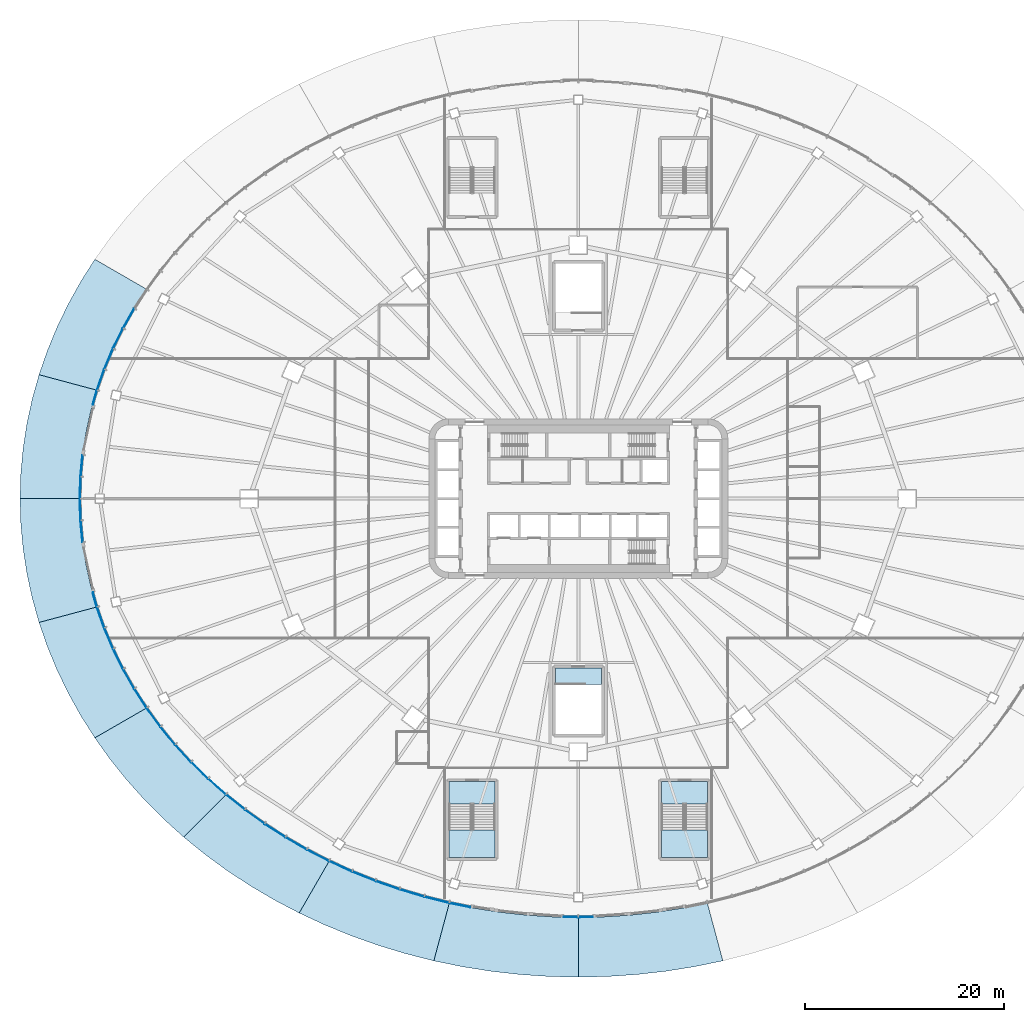
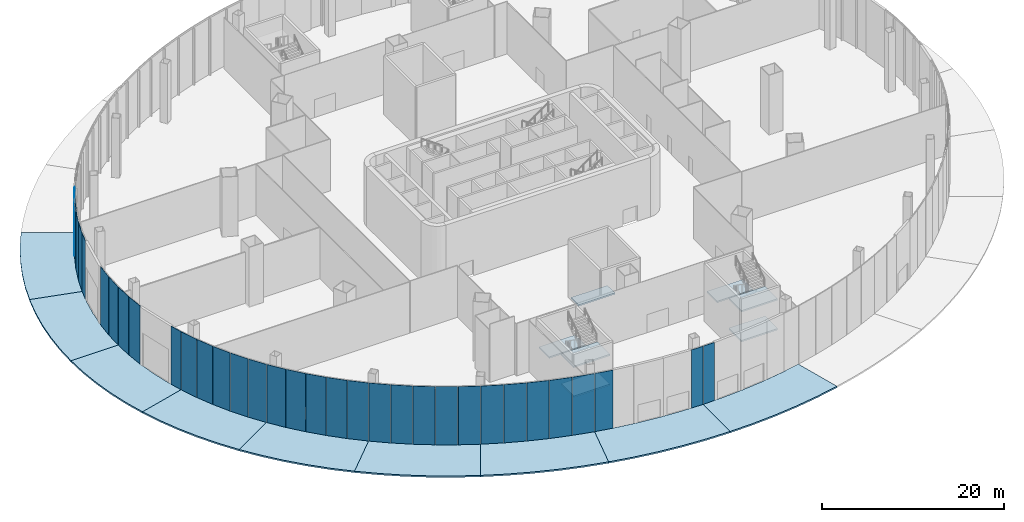
# One storey, part 11 of 36: 33 plates, 16 slabs, 14 elements without a shape of their own.
"""IFC4 building model written with IfcOpenShell, lengths in metres."""

from ifc_helpers import new_model, si_unit, direction, frame, origin, place, context, subcontext, project, spatial, polyline, outline, extrude, material, layer, layer_set, type_object, element, aggregate, save


model = new_model("IFC4")

# Units and contexts
model_context = context("Model", 3, precision=1e-05, world=origin(), true_north=direction((0.0, 1.0)))
body_context = subcontext(model_context, "Body", "Model", "MODEL_VIEW")
ifc_project = project(units=[si_unit("LENGTHUNIT", "METRE"), si_unit("AREAUNIT", "SQUARE_METRE"), si_unit("VOLUMEUNIT", "CUBIC_METRE"), si_unit("PLANEANGLEUNIT", "RADIAN"), si_unit("MASSUNIT", "GRAM", prefix="KILO")], contexts=[model_context])

# Site, building, storey
site_placement = place(None, origin())
site = spatial("IfcSite", under=ifc_project, at=site_placement, CompositionType="ELEMENT")
building_placement = place(site_placement, origin())
building = spatial("IfcBuilding", under=site, at=building_placement, Name="Sahrelin Media Tower", CompositionType="ELEMENT")
storey_placement = place(building_placement, origin())
storey = spatial("IfcBuildingStorey", under=building, at=storey_placement, Name="L00", CompositionType="ELEMENT", Elevation=0.0)

# Curtain wall, plates
ifc_material_1 = material(Name="Champagne anodised aluminium 6063-T6", Category="aluminium")
ifc_layer_1 = layer(ifc_material_1, 0.14990234375)
ifc_layer_set_1 = layer_set([ifc_layer_1], Name="Concourse curtain wall")
curtain_wall_type_1 = type_object("IfcCurtainWallType", Name="Concourse curtain wall", PredefinedType="NOTDEFINED", material=ifc_layer_set_1)
curtain_wall_1_placement = place(storey_placement, frame((-43.30126953125, 21.0, 0.0), z_axis=(0.0, 0.0, 1.0), x_axis=(1.0, 0.0, 0.0)))
curtain_wall_1 = element("IfcCurtainWall", 1, at=curtain_wall_1_placement, inside=storey, type_object=curtain_wall_type_1, Name="L00:CW:L00-P10", PredefinedType="NOTDEFINED")
ifc_material_2 = material(Name="Clear low-iron glazing", Category="glass")
ifc_layer_2 = layer(ifc_material_2, 0.06005859375)
ifc_layer_set_2 = layer_set([ifc_layer_2], Name="Glazing panel 60 mm CW4")
plate_type_1 = type_object("IfcPlateType", Name="Glazing panel 60 mm CW4", PredefinedType="CURTAIN_PANEL", material=ifc_layer_set_2)
plate_1_placement = place(storey_placement, frame((-44.597412109375, 19.025390625, 0.0), z_axis=(-0.869632377326, 0.493699836243, 0.0), x_axis=(-0.493699836243, -0.869632377326, 0.0)))
plate_1 = element("IfcPlate", 2, at=plate_1_placement, type_object=plate_type_1, Name="L00:CWP2a:L00-P10", PredefinedType="CURTAIN_PANEL", context=body_context, shape_type="SweptSolid", body=[
    extrude(outline(polyline([(0.0, 0.0), (2.222412109375, 0.0), (2.222412109375, 7.800048828125), (0.0, 7.800048828125), (0.0, 0.0)])), origin(), (0.0, 0.0, -1.0), 0.06005859375),
])
plate_2_placement = place(storey_placement, frame((-45.7216796875, 17.037841796875, 0.0), z_axis=(-0.896849811452, 0.442335184784, 0.0), x_axis=(-0.442335184784, -0.896849811452, 0.0)))
plate_2 = element("IfcPlate", 3, at=plate_2_placement, type_object=plate_type_1, Name="L00:CWP3a:L00-P10", PredefinedType="CURTAIN_PANEL", context=body_context, shape_type="SweptSolid", body=[
    extrude(outline(polyline([(0.0, 0.0), (2.205078125, 0.0), (2.205078125, 7.800048828125), (0.0, 7.800048828125), (0.0, 0.0)])), origin(), (0.0, 0.0, -1.0), 0.06005859375),
])
plate_3_placement = place(storey_placement, frame((-46.720703125, 15.00390625, 0.0), z_axis=(-0.921442144593, 0.388515603505, 0.0), x_axis=(-0.388515603505, -0.921442144593, 0.0)))
plate_3 = element("IfcPlate", 4, at=plate_3_placement, type_object=plate_type_1, Name="L00:CWP4a:L00-P10", PredefinedType="CURTAIN_PANEL", context=body_context, shape_type="SweptSolid", body=[
    extrude(outline(polyline([(0.0, 0.0), (2.189208984375, 0.0), (2.189208984375, 7.800048828125), (0.0, 7.800048828125), (0.0, 0.0)])), origin(), (0.0, 0.0, -1.0), 0.06005859375),
])
plate_4_placement = place(storey_placement, frame((-47.591552734375, 12.9287109375, 0.0), z_axis=(-0.943052474223, 0.33264400019, 0.0), x_axis=(-0.33264400019, -0.943052474223, 0.0)))
plate_4 = element("IfcPlate", 5, at=plate_4_placement, type_object=plate_type_1, Name="L00:CWP5a:L00-P10", PredefinedType="CURTAIN_PANEL", context=body_context, shape_type="SweptSolid", body=[
    extrude(outline(polyline([(0.0, 0.0), (2.17529296875, 0.0), (2.17529296875, 7.800048828125), (0.0, 7.800048828125), (0.0, 0.0)])), origin(), (0.0, 0.0, -1.0), 0.06005859375),
])
aggregate(curtain_wall_1, [plate_1, plate_2, plate_3, plate_4])

# Curtain wall, plate
curtain_wall_2_placement = place(storey_placement, frame((-48.29638671875, 10.870361328125, 0.0), z_axis=(0.0, 0.0, 1.0), x_axis=(1.0, 0.0, 0.0)))
curtain_wall_2 = element("IfcCurtainWall", 6, at=curtain_wall_2_placement, inside=storey, type_object=curtain_wall_type_1, Name="L00:CW:L00-P11", PredefinedType="NOTDEFINED")
plate_5_placement = place(storey_placement, frame((-48.33203125, 10.818115234375, 0.0), z_axis=(-0.961491951424, 0.274833089977, 0.0), x_axis=(-0.274833089977, -0.961491951424, 0.0)))
plate_5 = element("IfcPlate", 7, at=plate_5_placement, type_object=plate_type_1, Name="L00:CWP1a:L00-P11", PredefinedType="CURTAIN_PANEL", context=body_context, shape_type="SweptSolid", body=[
    extrude(outline(polyline([(0.0, 0.0), (1.43994140625, 0.0), (1.43994140625, 7.800048828125), (0.0, 7.800048828125), (0.0, 0.0)])), origin(), (0.0, 0.0, -1.0), 0.06005859375),
])
aggregate(curtain_wall_2, [plate_5])

# Curtain wall, plates
curtain_wall_3_placement = place(storey_placement, frame((-49.703857421875, 4.53271484375, 0.0), z_axis=(0.0, 0.0, 1.0), x_axis=(1.0, 0.0, 0.0)))
curtain_wall_3 = element("IfcCurtainWall", 8, at=curtain_wall_3_placement, inside=storey, type_object=curtain_wall_type_1, Name="L00:CW2:L00-P11", PredefinedType="NOTDEFINED")
plate_6_placement = place(storey_placement, frame((-49.751708984375, 4.332275390625, 0.0), z_axis=(-0.995642829477, 0.093248893349, 0.0), x_axis=(-0.093248893349, -0.995642829477, 0.0)))
plate_6 = element("IfcPlate", 9, at=plate_6_placement, type_object=plate_type_1, Name="L00:CWP4a:L00-P11", PredefinedType="CURTAIN_PANEL", context=body_context, shape_type="SweptSolid", body=[
    extrude(outline(polyline([(0.0, 0.0), (2.1416015625, 0.0), (2.1416015625, 7.800048828125), (0.0, 7.800048828125), (0.0, 0.0)])), origin(), (0.0, 0.0, -1.0), 0.06005859375),
])
plate_7_placement = place(storey_placement, frame((-49.953369140625, 2.138916015625, 0.0), z_axis=(-0.99951463331, 0.031152813665, 0.0), x_axis=(-0.031152813665, -0.99951463331, 0.0)))
plate_7 = element("IfcPlate", 10, at=plate_7_placement, type_object=plate_type_1, Name="L00:CWP5a:L00-P11", PredefinedType="CURTAIN_PANEL", context=body_context, shape_type="SweptSolid", body=[
    extrude(outline(polyline([(0.0, 0.0), (2.139404296875, 0.0), (2.139404296875, 7.800048828125), (0.0, 7.800048828125), (0.0, 0.0)])), origin(), (0.0, 0.0, -1.0), 0.06005859375),
])
aggregate(curtain_wall_3, [plate_6, plate_7])

curtain_wall_4_placement = place(storey_placement, frame((-50.0, 0.0, 0.0), z_axis=(0.0, 0.0, 1.0), x_axis=(1.0, 0.0, 0.0)))
curtain_wall_4 = element("IfcCurtainWall", 11, at=curtain_wall_4_placement, inside=storey, type_object=curtain_wall_type_1, Name="L00:CW:L00-P12", PredefinedType="NOTDEFINED")
plate_8_placement = place(storey_placement, frame((-50.01806640625, -0.060546875, 0.0), z_axis=(-0.999514522545, -0.031156367282, 0.0), x_axis=(0.031156367282, -0.999514522545, 0.0)))
plate_8 = element("IfcPlate", 12, at=plate_8_placement, type_object=plate_type_1, Name="L00:CWP1a:L00-P12", PredefinedType="CURTAIN_PANEL", context=body_context, shape_type="SweptSolid", body=[
    extrude(outline(polyline([(0.0, 0.0), (2.13916015625, 0.0), (2.13916015625, 7.800048828125), (0.0, 7.800048828125), (0.0, 0.0)])), origin(), (0.0, 0.0, -1.0), 0.06005859375),
])
plate_9_placement = place(storey_placement, frame((-49.94580078125, -2.259765625, 0.0), z_axis=(-0.995642829477, -0.093248893349, 0.0), x_axis=(0.093248893349, -0.995642829477, 0.0)))
plate_9 = element("IfcPlate", 13, at=plate_9_placement, type_object=plate_type_1, Name="L00:CWP2a:L00-P12", PredefinedType="CURTAIN_PANEL", context=body_context, shape_type="SweptSolid", body=[
    extrude(outline(polyline([(0.0, 0.0), (2.1416015625, 0.0), (2.1416015625, 7.800048828125), (0.0, 7.800048828125), (0.0, 0.0)])), origin(), (0.0, 0.0, -1.0), 0.06005859375),
])
aggregate(curtain_wall_4, [plate_8, plate_9])

# Curtain wall, plate
curtain_wall_5_placement = place(storey_placement, frame((-48.70849609375, -9.427978515625, 0.0), z_axis=(0.0, 0.0, 1.0), x_axis=(1.0, 0.0, 0.0)))
curtain_wall_5 = element("IfcCurtainWall", 14, at=curtain_wall_5_placement, inside=storey, type_object=curtain_wall_type_1, Name="L00:CW2:L00-P12", PredefinedType="NOTDEFINED")
plate_10_placement = place(storey_placement, frame((-48.727783203125, -9.43359375, 0.0), z_axis=(-0.961480947362, -0.274871584308, 0.0), x_axis=(0.274871584308, -0.961480947362, 0.0)))
plate_10 = element("IfcPlate", 15, at=plate_10_placement, type_object=plate_type_1, Name="L00:CWP5a:L00-P12", PredefinedType="CURTAIN_PANEL", context=body_context, shape_type="SweptSolid", body=[
    extrude(outline(polyline([(0.0, 0.0), (1.500244140625, 0.0), (1.500244140625, 7.800048828125), (0.0, 7.800048828125), (0.0, 0.0)])), origin(), (0.0, 0.0, -1.0), 0.06005859375),
])
aggregate(curtain_wall_5, [plate_10])

# Curtain wall, plates
curtain_wall_6_placement = place(storey_placement, frame((-48.29638671875, -10.870361328125, 0.0), z_axis=(0.0, 0.0, 1.0), x_axis=(1.0, 0.0, 0.0)))
curtain_wall_6 = element("IfcCurtainWall", 16, at=curtain_wall_6_placement, inside=storey, type_object=curtain_wall_type_1, Name="L00:CW:L00-P13", PredefinedType="NOTDEFINED")
plate_11_placement = place(storey_placement, frame((-48.295166015625, -10.93359375, 0.0), z_axis=(-0.94310008559, -0.332508990195, 0.0), x_axis=(0.332508990195, -0.94310008559, 0.0)))
plate_11 = element("IfcPlate", 17, at=plate_11_placement, type_object=plate_type_1, Name="L00:CWP1a:L00-P13", PredefinedType="CURTAIN_PANEL", context=body_context, shape_type="SweptSolid", body=[
    extrude(outline(polyline([(0.0, 0.0), (2.175537109375, 0.0), (2.175537109375, 7.800048828125), (0.0, 7.800048828125), (0.0, 0.0)])), origin(), (0.0, 0.0, -1.0), 0.06005859375),
])
plate_12_placement = place(storey_placement, frame((-47.5478515625, -13.041748046875, 0.0), z_axis=(-0.921498885337, -0.388381004069, 0.0), x_axis=(0.388381004069, -0.921498885337, 0.0)))
plate_12 = element("IfcPlate", 18, at=plate_12_placement, type_object=plate_type_1, Name="L00:CWP2a:L00-P13", PredefinedType="CURTAIN_PANEL", context=body_context, shape_type="SweptSolid", body=[
    extrude(outline(polyline([(0.0, 0.0), (2.189453125, 0.0), (2.189453125, 7.800048828125), (0.0, 7.800048828125), (0.0, 0.0)])), origin(), (0.0, 0.0, -1.0), 0.06005859375),
])
plate_13_placement = place(storey_placement, frame((-46.67041015625, -15.1142578125, 0.0), z_axis=(-0.896893733588, -0.442246119994, 0.0), x_axis=(0.442246119994, -0.896893733588, 0.0)))
plate_13 = element("IfcPlate", 19, at=plate_13_placement, type_object=plate_type_1, Name="L00:CWP3a:L00-P13", PredefinedType="CURTAIN_PANEL", context=body_context, shape_type="SweptSolid", body=[
    extrude(outline(polyline([(0.0, 0.0), (2.204833984375, 0.0), (2.204833984375, 7.800048828125), (0.0, 7.800048828125), (0.0, 0.0)])), origin(), (0.0, 0.0, -1.0), 0.06005859375),
])
plate_14_placement = place(storey_placement, frame((-45.6650390625, -17.14501953125, 0.0), z_axis=(-0.869558421939, -0.493830082958, 0.0), x_axis=(0.493830082958, -0.869558421939, 0.0)))
plate_14 = element("IfcPlate", 20, at=plate_14_placement, type_object=plate_type_1, Name="L00:CWP4a:L00-P13", PredefinedType="CURTAIN_PANEL", context=body_context, shape_type="SweptSolid", body=[
    extrude(outline(polyline([(0.0, 0.0), (2.22216796875, 0.0), (2.22216796875, 7.800048828125), (0.0, 7.800048828125), (0.0, 0.0)])), origin(), (0.0, 0.0, -1.0), 0.06005859375),
])
plate_15_placement = place(storey_placement, frame((-44.534423828125, -19.12890625, 0.0), z_axis=(-0.839876936487, -0.542776870875, 0.0), x_axis=(0.542776870875, -0.839876936487, 0.0)))
plate_15 = element("IfcPlate", 21, at=plate_15_placement, type_object=plate_type_1, Name="L00:CWP5a:L00-P13", PredefinedType="CURTAIN_PANEL", context=body_context, shape_type="SweptSolid", body=[
    extrude(outline(polyline([(0.0, 0.0), (2.240966796875, 0.0), (2.240966796875, 7.800048828125), (0.0, 7.800048828125), (0.0, 0.0)])), origin(), (0.0, 0.0, -1.0), 0.06005859375),
])
aggregate(curtain_wall_6, [plate_11, plate_12, plate_13, plate_14, plate_15])

curtain_wall_7_placement = place(storey_placement, frame((-43.30126953125, -21.0, 0.0), z_axis=(0.0, 0.0, 1.0), x_axis=(1.0, 0.0, 0.0)))
curtain_wall_7 = element("IfcCurtainWall", 22, at=curtain_wall_7_placement, inside=storey, type_object=curtain_wall_type_1, Name="L00:CW:L00-P14", PredefinedType="NOTDEFINED")
plate_16_placement = place(storey_placement, frame((-43.281982421875, -21.060302734375, 0.0), z_axis=(-0.807899339491, -0.589320504692, 0.0), x_axis=(0.589320504692, -0.807899339491, 0.0)))
plate_16 = element("IfcPlate", 23, at=plate_16_placement, type_object=plate_type_1, Name="L00:CWP1a:L00-P14", PredefinedType="CURTAIN_PANEL", context=body_context, shape_type="SweptSolid", body=[
    extrude(outline(polyline([(0.0, 0.0), (2.2607421875, 0.0), (2.2607421875, 7.800048828125), (0.0, 7.800048828125), (0.0, 0.0)])), origin(), (0.0, 0.0, -1.0), 0.06005859375),
])
plate_17_placement = place(storey_placement, frame((-41.910888671875, -22.933837890625, 0.0), z_axis=(-0.774004974834, -0.633179515566, 0.0), x_axis=(0.633179515566, -0.774004974834, 0.0)))
plate_17 = element("IfcPlate", 24, at=plate_17_placement, type_object=plate_type_1, Name="L00:CWP2a:L00-P14", PredefinedType="CURTAIN_PANEL", context=body_context, shape_type="SweptSolid", body=[
    extrude(outline(polyline([(0.0, 0.0), (2.281494140625, 0.0), (2.281494140625, 7.800048828125), (0.0, 7.800048828125), (0.0, 0.0)])), origin(), (0.0, 0.0, -1.0), 0.06005859375),
])
plate_18_placement = place(storey_placement, frame((-40.425048828125, -24.744873046875, 0.0), z_axis=(-0.738350052699, -0.6744176745, 0.0), x_axis=(0.6744176745, -0.738350052699, 0.0)))
plate_18 = element("IfcPlate", 25, at=plate_18_placement, type_object=plate_type_1, Name="L00:CWP3a:L00-P14", PredefinedType="CURTAIN_PANEL", context=body_context, shape_type="SweptSolid", body=[
    extrude(outline(polyline([(0.0, 0.0), (2.302734375, 0.0), (2.302734375, 7.800048828125), (0.0, 7.800048828125), (0.0, 0.0)])), origin(), (0.0, 0.0, -1.0), 0.06005859375),
])
plate_19_placement = place(storey_placement, frame((-38.82861328125, -26.48779296875, 0.0), z_axis=(-0.701201349036, -0.712963300675, 0.0), x_axis=(0.712963300675, -0.701201349036, 0.0)))
plate_19 = element("IfcPlate", 26, at=plate_19_placement, type_object=plate_type_1, Name="L00:CWP4a:L00-P14", PredefinedType="CURTAIN_PANEL", context=body_context, shape_type="SweptSolid", body=[
    extrude(outline(polyline([(0.0, 0.0), (2.32470703125, 0.0), (2.32470703125, 7.800048828125), (0.0, 7.800048828125), (0.0, 0.0)])), origin(), (0.0, 0.0, -1.0), 0.06005859375),
])
plate_20_placement = place(storey_placement, frame((-37.12548828125, -28.158203125, 0.0), z_axis=(-0.662825302002, -0.748774077426, 0.0), x_axis=(0.748774077426, -0.662825302002, 0.0)))
plate_20 = element("IfcPlate", 27, at=plate_20_placement, type_object=plate_type_1, Name="L00:CWP5a:L00-P14", PredefinedType="CURTAIN_PANEL", context=body_context, shape_type="SweptSolid", body=[
    extrude(outline(polyline([(0.0, 0.0), (2.34619140625, 0.0), (2.34619140625, 7.800048828125), (0.0, 7.800048828125), (0.0, 0.0)])), origin(), (0.0, 0.0, -1.0), 0.06005859375),
])
aggregate(curtain_wall_7, [plate_16, plate_17, plate_18, plate_19, plate_20])

curtain_wall_8_placement = place(storey_placement, frame((-35.355224609375, -29.698486328125, 0.0), z_axis=(0.0, 0.0, 1.0), x_axis=(1.0, 0.0, 0.0)))
curtain_wall_8 = element("IfcCurtainWall", 28, at=curtain_wall_8_placement, inside=storey, type_object=curtain_wall_type_1, Name="L00:CW:L00-P15", PredefinedType="NOTDEFINED")
plate_21_placement = place(storey_placement, frame((-35.32080078125, -29.75146484375, 0.0), z_axis=(-0.623374123607, -0.781923718797, 0.0), x_axis=(0.781923718797, -0.623374123607, 0.0)))
plate_21 = element("IfcPlate", 29, at=plate_21_placement, type_object=plate_type_1, Name="L00:CWP1a:L00-P15", PredefinedType="CURTAIN_PANEL", context=body_context, shape_type="SweptSolid", body=[
    extrude(outline(polyline([(0.0, 0.0), (2.3681640625, 0.0), (2.3681640625, 7.800048828125), (0.0, 7.800048828125), (0.0, 0.0)])), origin(), (0.0, 0.0, -1.0), 0.06005859375),
])
plate_22_placement = place(storey_placement, frame((-33.41943359375, -31.26318359375, 0.0), z_axis=(-0.583014905057, -0.812461457844, 0.0), x_axis=(0.812461457844, -0.583014905057, 0.0)))
plate_22 = element("IfcPlate", 30, at=plate_22_placement, type_object=plate_type_1, Name="L00:CWP2a:L00-P15", PredefinedType="CURTAIN_PANEL", context=body_context, shape_type="SweptSolid", body=[
    extrude(outline(polyline([(0.0, 0.0), (2.389892578125, 0.0), (2.389892578125, 7.800048828125), (0.0, 7.800048828125), (0.0, 0.0)])), origin(), (0.0, 0.0, -1.0), 0.06005859375),
])
plate_23_placement = place(storey_placement, frame((-31.426513671875, -32.689453125, 0.0), z_axis=(-0.541780832962, -0.840519796932, 0.0), x_axis=(0.840519796932, -0.541780832962, 0.0)))
plate_23 = element("IfcPlate", 31, at=plate_23_placement, type_object=plate_type_1, Name="L00:CWP3a:L00-P15", PredefinedType="CURTAIN_PANEL", context=body_context, shape_type="SweptSolid", body=[
    extrude(outline(polyline([(0.0, 0.0), (2.410888671875, 0.0), (2.410888671875, 7.800048828125), (0.0, 7.800048828125), (0.0, 0.0)])), origin(), (0.0, 0.0, -1.0), 0.06005859375),
])
plate_24_placement = place(storey_placement, frame((-29.347412109375, -34.02587890625, 0.0), z_axis=(-0.499994824194, -0.866028392017, 0.0), x_axis=(0.866028392017, -0.499994824194, 0.0)))
plate_24 = element("IfcPlate", 32, at=plate_24_placement, type_object=plate_type_1, Name="L00:CWP4a:L00-P15", PredefinedType="CURTAIN_PANEL", context=body_context, shape_type="SweptSolid", body=[
    extrude(outline(polyline([(0.0, 0.0), (2.43115234375, 0.0), (2.43115234375, 7.800048828125), (0.0, 7.800048828125), (0.0, 0.0)])), origin(), (0.0, 0.0, -1.0), 0.06005859375),
])
plate_25_placement = place(storey_placement, frame((-27.187744140625, -35.269287109375, 0.0), z_axis=(-0.457744209819, -0.889083932133, 0.0), x_axis=(0.889083932133, -0.457744209819, 0.0)))
plate_25 = element("IfcPlate", 33, at=plate_25_placement, type_object=plate_type_1, Name="L00:CWP5a:L00-P15", PredefinedType="CURTAIN_PANEL", context=body_context, shape_type="SweptSolid", body=[
    extrude(outline(polyline([(0.0, 0.0), (2.4501953125, 0.0), (2.4501953125, 7.800048828125), (0.0, 7.800048828125), (0.0, 0.0)])), origin(), (0.0, 0.0, -1.0), 0.06005859375),
])
aggregate(curtain_wall_8, [plate_21, plate_22, plate_23, plate_24, plate_25])

curtain_wall_9_placement = place(storey_placement, frame((-25.0, -36.373046875, 0.0), z_axis=(0.0, 0.0, 1.0), x_axis=(1.0, 0.0, 0.0)))
curtain_wall_9 = element("IfcCurtainWall", 34, at=curtain_wall_9_placement, inside=storey, type_object=curtain_wall_type_1, Name="L00:CW:L00-P16", PredefinedType="NOTDEFINED")
plate_26_placement = place(storey_placement, frame((-24.95361328125, -36.416259765625, 0.0), z_axis=(-0.414920431956, -0.909857700492, 0.0), x_axis=(0.909857700492, -0.414920431956, 0.0)))
plate_26 = element("IfcPlate", 35, at=plate_26_placement, type_object=plate_type_1, Name="L00:CWP1a:L00-P16", PredefinedType="CURTAIN_PANEL", context=body_context, shape_type="SweptSolid", body=[
    extrude(outline(polyline([(0.0, 0.0), (2.46826171875, 0.0), (2.46826171875, 7.800048828125), (0.0, 7.800048828125), (0.0, 0.0)])), origin(), (0.0, 0.0, -1.0), 0.06005859375),
])
plate_27_placement = place(storey_placement, frame((-22.651123046875, -37.463134765625, 0.0), z_axis=(-0.37193262101, -0.928259729509, 0.0), x_axis=(0.928259729509, -0.37193262101, 0.0)))
plate_27 = element("IfcPlate", 36, at=plate_27_placement, type_object=plate_type_1, Name="L00:CWP2a:L00-P16", PredefinedType="CURTAIN_PANEL", context=body_context, shape_type="SweptSolid", body=[
    extrude(outline(polyline([(0.0, 0.0), (2.485107421875, 0.0), (2.485107421875, 7.800048828125), (0.0, 7.800048828125), (0.0, 0.0)])), origin(), (0.0, 0.0, -1.0), 0.06005859375),
])
plate_28_placement = place(storey_placement, frame((-20.28662109375, -38.407470703125, 0.0), z_axis=(-0.328649378863, -0.944452002895, 0.0), x_axis=(0.944452002895, -0.328649378863, 0.0)))
plate_28 = element("IfcPlate", 37, at=plate_28_placement, type_object=plate_type_1, Name="L00:CWP3a:L00-P16", PredefinedType="CURTAIN_PANEL", context=body_context, shape_type="SweptSolid", body=[
    extrude(outline(polyline([(0.0, 0.0), (2.50048828125, 0.0), (2.50048828125, 7.800048828125), (0.0, 7.800048828125), (0.0, 0.0)])), origin(), (0.0, 0.0, -1.0), 0.06005859375),
])
plate_29_placement = place(storey_placement, frame((-17.86669921875, -39.24658203125, 0.0), z_axis=(-0.285155908316, -0.958481146373, 0.0), x_axis=(0.958481146373, -0.285155908316, 0.0)))
plate_29 = element("IfcPlate", 38, at=plate_29_placement, type_object=plate_type_1, Name="L00:CWP4a:L00-P16", PredefinedType="CURTAIN_PANEL", context=body_context, shape_type="SweptSolid", body=[
    extrude(outline(polyline([(0.0, 0.0), (2.5146484375, 0.0), (2.5146484375, 7.800048828125), (0.0, 7.800048828125), (0.0, 0.0)])), origin(), (0.0, 0.0, -1.0), 0.06005859375),
])
plate_30_placement = place(storey_placement, frame((-15.3974609375, -39.978271484375, 0.0), z_axis=(-0.241489557979, -0.970403417856, 0.0), x_axis=(0.970403417856, -0.241489557979, 0.0)))
plate_30 = element("IfcPlate", 39, at=plate_30_placement, type_object=plate_type_1, Name="L00:CWP5a:L00-P16", PredefinedType="CURTAIN_PANEL", context=body_context, shape_type="SweptSolid", body=[
    extrude(outline(polyline([(0.0, 0.0), (2.5263671875, 0.0), (2.5263671875, 7.800048828125), (0.0, 7.800048828125), (0.0, 0.0)])), origin(), (0.0, 0.0, -1.0), 0.06005859375),
])
aggregate(curtain_wall_9, [plate_26, plate_27, plate_28, plate_29, plate_30])

# Curtain wall, plate
ifc_layer_3 = layer(ifc_material_1, 0.14990234375)
ifc_layer_set_3 = layer_set([ifc_layer_3], Name="Entrance bay curtain wall")
curtain_wall_type_2 = type_object("IfcCurtainWallType", Name="Entrance bay curtain wall", PredefinedType="NOTDEFINED", material=ifc_layer_set_3)
curtain_wall_10_placement = place(storey_placement, frame((-12.94091796875, -40.56884765625, 0.0), z_axis=(0.0, 0.0, 1.0), x_axis=(1.0, 0.0, 0.0)))
curtain_wall_10 = element("IfcCurtainWall", 40, at=curtain_wall_10_placement, inside=storey, type_object=curtain_wall_type_2, Name="L00:CW:L00-P17", PredefinedType="NOTDEFINED")
ifc_layer_4 = layer(ifc_material_2, 0.06005859375)
ifc_layer_set_4 = layer_set([ifc_layer_4], Name="Glazing panel 60 mm CW6")
plate_type_2 = type_object("IfcPlateType", Name="Glazing panel 60 mm CW6", PredefinedType="CURTAIN_PANEL", material=ifc_layer_set_4)
plate_31_placement = place(storey_placement, frame((-12.876220703125, -40.602294921875, 0.0), z_axis=(-0.197671612064, -0.980268296837, 0.0), x_axis=(0.980268296837, -0.197671612064, 0.0)))
plate_31 = element("IfcPlate", 41, at=plate_31_placement, type_object=plate_type_2, Name="L00:CWP1a:L00-P17", PredefinedType="CURTAIN_PANEL", context=body_context, shape_type="SweptSolid", body=[
    extrude(outline(polyline([(0.0, 0.0), (2.082275390625, 0.0), (2.082275390625, 7.800048828125), (0.0, 7.800048828125), (0.0, 0.0)])), origin(), (0.0, 0.0, -1.0), 0.06005859375),
])
aggregate(curtain_wall_10, [plate_31])

curtain_wall_11_placement = place(storey_placement, frame((-1.450927734375, -41.968017578125, 0.0), z_axis=(0.0, 0.0, 1.0), x_axis=(1.0, 0.0, 0.0)))
curtain_wall_11 = element("IfcCurtainWall", 42, at=curtain_wall_11_placement, inside=storey, type_object=curtain_wall_type_2, Name="L00:CW2:L00-P17", PredefinedType="NOTDEFINED")
plate_32_placement = place(storey_placement, frame((-1.451416015625, -41.988037109375, 0.0), z_axis=(-0.022037386219, -0.999757147316, 0.0), x_axis=(0.999757147316, -0.022037386219, 0.0)))
plate_32 = element("IfcPlate", 43, at=plate_32_placement, type_object=plate_type_2, Name="L00:CWP5a:L00-P17", PredefinedType="CURTAIN_PANEL", context=body_context, shape_type="SweptSolid", body=[
    extrude(outline(polyline([(0.0, 0.0), (1.451171875, 0.0), (1.451171875, 7.800048828125), (0.0, 7.800048828125), (0.0, 0.0)])), origin(), (0.0, 0.0, -1.0), 0.06005859375),
])
aggregate(curtain_wall_11, [plate_32])

curtain_wall_12_placement = place(storey_placement, frame((0.0, -42.0, 0.0), z_axis=(0.0, 0.0, 1.0), x_axis=(1.0, 0.0, 0.0)))
curtain_wall_12 = element("IfcCurtainWall", 44, at=curtain_wall_12_placement, inside=storey, type_object=curtain_wall_type_2, Name="L00:CW:L00-P18", PredefinedType="NOTDEFINED")
plate_33_placement = place(storey_placement, frame((0.0703125, -42.0185546875, 0.0), z_axis=(0.022091125184, -0.999755961317, 0.0), x_axis=(0.999755961317, 0.022091125184, 0.0)))
plate_33 = element("IfcPlate", 45, at=plate_33_placement, type_object=plate_type_2, Name="L00:CWP1a:L00-P18", PredefinedType="CURTAIN_PANEL", context=body_context, shape_type="SweptSolid", body=[
    extrude(outline(polyline([(0.0, 0.0), (1.38134765625, 0.0), (1.38134765625, 7.800048828125), (0.0, 7.800048828125), (0.0, 0.0)])), origin(), (0.0, 0.0, -1.0), 0.06005859375),
])
aggregate(curtain_wall_12, [plate_33])

# Slabs
ifc_material_3 = material(Name="Concrete C32/40", Category="concrete")
ifc_layer_5 = layer(ifc_material_3, 0.199951171875)
ifc_layer_set_5 = layer_set([ifc_layer_5], Name="Plaza paving slab")
slab_type_1 = type_object("IfcSlabType", Name="Plaza paving slab", PredefinedType="USERDEFINED", material=ifc_layer_set_5)
placement_1 = place(storey_placement, frame((0.0, 0.0, -0.199951171875)))
element("IfcSlab", 46, at=placement_1, inside=storey, type_object=slab_type_1, Name="Plaza PAVING 11", ObjectType="PAVING", PredefinedType="USERDEFINED", context=body_context, shape_type="SweptSolid", body=[
    extrude(outline(polyline([(-43.30126953125, 21.0), (-44.55029296875, 19.067626953125), (-45.67724609375, 17.0830078125), (-46.678955078125, 15.051513671875), (-47.552734375, 12.978759765625), (-48.29638671875, 10.870361328125), (-54.091796875, 12.42333984375), (-53.259033203125, 14.832763671875), (-52.280517578125, 17.20166015625), (-51.15869140625, 19.523193359375), (-49.896240234375, 21.79150390625), (-48.49755859375, 24.0), (-43.30126953125, 21.0)])), origin(), (0.0, 0.0, 1.0), 0.199951171875),
])
element("IfcSlab", 47, at=placement_1, inside=storey, type_object=slab_type_1, Name="Plaza PAVING 12", ObjectType="PAVING", PredefinedType="USERDEFINED", context=body_context, shape_type="SweptSolid", body=[
    extrude(outline(polyline([(-48.29638671875, 10.870361328125), (-48.907470703125, 8.732421875), (-49.384521484375, 6.5703125), (-49.72607421875, 4.39013671875), (-49.931396484375, 2.197998046875), (-50.0, 0.0), (-56.0, 0.0), (-55.92333984375, 2.51220703125), (-55.693115234375, 5.017333984375), (-55.310546875, 7.5087890625), (-54.7763671875, 9.979736328125), (-54.091796875, 12.42333984375), (-48.29638671875, 10.870361328125)])), origin(), (0.0, 0.0, 1.0), 0.199951171875),
])
element("IfcSlab", 48, at=placement_1, inside=storey, type_object=slab_type_1, Name="Plaza PAVING 13", ObjectType="PAVING", PredefinedType="USERDEFINED", context=body_context, shape_type="SweptSolid", body=[
    extrude(outline(polyline([(-50.0, 0.0), (-49.931396484375, -2.197998046875), (-49.72607421875, -4.39013671875), (-49.384521484375, -6.5703125), (-48.907470703125, -8.732421875), (-48.29638671875, -10.870361328125), (-54.091796875, -12.42333984375), (-54.7763671875, -9.979736328125), (-55.310546875, -7.5087890625), (-55.693115234375, -5.017333984375), (-55.92333984375, -2.51220703125), (-56.0, 0.0), (-50.0, 0.0)])), origin(), (0.0, 0.0, 1.0), 0.199951171875),
])
element("IfcSlab", 49, at=placement_1, inside=storey, type_object=slab_type_1, Name="Plaza PAVING 14", ObjectType="PAVING", PredefinedType="USERDEFINED", context=body_context, shape_type="SweptSolid", body=[
    extrude(outline(polyline([(-48.29638671875, -10.870361328125), (-47.552734375, -12.978759765625), (-46.678955078125, -15.051513671875), (-45.67724609375, -17.0830078125), (-44.55029296875, -19.067626953125), (-43.30126953125, -21.0), (-48.49755859375, -24.0), (-49.896240234375, -21.79150390625), (-51.15869140625, -19.523193359375), (-52.280517578125, -17.20166015625), (-53.259033203125, -14.832763671875), (-54.091796875, -12.42333984375), (-48.29638671875, -10.870361328125)])), origin(), (0.0, 0.0, 1.0), 0.199951171875),
])
element("IfcSlab", 50, at=placement_1, inside=storey, type_object=slab_type_1, Name="Plaza PAVING 15", ObjectType="PAVING", PredefinedType="USERDEFINED", context=body_context, shape_type="SweptSolid", body=[
    extrude(outline(polyline([(-43.30126953125, -21.0), (-41.93359375, -22.874755859375), (-40.45068359375, -24.68701171875), (-38.857421875, -26.431396484375), (-37.1572265625, -28.103515625), (-35.355224609375, -29.698486328125), (-39.597900390625, -33.941162109375), (-41.6162109375, -32.118408203125), (-43.520263671875, -30.20751953125), (-45.304931640625, -28.213623046875), (-46.965576171875, -26.142578125), (-48.49755859375, -24.0), (-43.30126953125, -21.0)])), origin(), (0.0, 0.0, 1.0), 0.199951171875),
])
element("IfcSlab", 51, at=placement_1, inside=storey, type_object=slab_type_1, Name="Plaza PAVING 16", ObjectType="PAVING", PredefinedType="USERDEFINED", context=body_context, shape_type="SweptSolid", body=[
    extrude(outline(polyline([(-35.355224609375, -29.698486328125), (-33.45654296875, -31.212158203125), (-31.466064453125, -32.64013671875), (-29.389404296875, -33.978759765625), (-27.23193359375, -35.22412109375), (-25.0, -36.373046875), (-28.0, -41.5693359375), (-30.499755859375, -40.256103515625), (-32.916015625, -38.832763671875), (-35.241943359375, -37.302978515625), (-37.47119140625, -35.6708984375), (-39.597900390625, -33.941162109375), (-35.355224609375, -29.698486328125)])), origin(), (0.0, 0.0, 1.0), 0.199951171875),
])
element("IfcSlab", 52, at=placement_1, inside=storey, type_object=slab_type_1, Name="Plaza PAVING 17", ObjectType="PAVING", PredefinedType="USERDEFINED", context=body_context, shape_type="SweptSolid", body=[
    extrude(outline(polyline([(-25.0, -36.373046875), (-22.699462890625, -37.42236328125), (-20.3369140625, -38.368896484375), (-17.91845703125, -39.21044921875), (-15.45068359375, -39.9443359375), (-12.94091796875, -40.56884765625), (-14.493896484375, -46.364501953125), (-17.304931640625, -45.650634765625), (-20.068603515625, -44.81201171875), (-22.777099609375, -43.85009765625), (-25.42333984375, -42.768310546875), (-28.0, -41.5693359375), (-25.0, -36.373046875)])), origin(), (0.0, 0.0, 1.0), 0.199951171875),
])
element("IfcSlab", 53, at=placement_1, inside=storey, type_object=slab_type_1, Name="Plaza PAVING 18", ObjectType="PAVING", PredefinedType="USERDEFINED", context=body_context, shape_type="SweptSolid", body=[
    extrude(outline(polyline([(-12.94091796875, -40.56884765625), (-10.3955078125, -41.082275390625), (-7.82177734375, -41.48291015625), (-5.226318359375, -41.77001953125), (-2.61669921875, -41.9423828125), (0.0, -42.0), (0.0, -48.0), (-2.930908203125, -47.93408203125), (-5.853515625, -47.737060546875), (-8.76025390625, -47.408935546875), (-11.64306640625, -46.951171875), (-14.493896484375, -46.364501953125), (-12.94091796875, -40.56884765625)])), origin(), (0.0, 0.0, 1.0), 0.199951171875),
])
element("IfcSlab", 54, at=placement_1, inside=storey, type_object=slab_type_1, Name="Plaza PAVING 19", ObjectType="PAVING", PredefinedType="USERDEFINED", context=body_context, shape_type="SweptSolid", body=[
    extrude(outline(polyline([(0.0, -42.0), (2.61669921875, -41.9423828125), (5.226318359375, -41.77001953125), (7.82177734375, -41.48291015625), (10.3955078125, -41.082275390625), (12.94091796875, -40.56884765625), (14.493896484375, -46.364501953125), (11.64306640625, -46.951171875), (8.76025390625, -47.408935546875), (5.853515625, -47.737060546875), (2.930908203125, -47.93408203125), (0.0, -48.0), (0.0, -42.0)])), origin(), (0.0, 0.0, 1.0), 0.199951171875),
])

# Stair, slabs
ifc_material_4 = material(Name="Concrete C40/50", Category="concrete")
stair_type = type_object("IfcStairType", Name="Podium stair 2225", PredefinedType="HALF_TURN_STAIR", material=ifc_material_4)
placement_2 = place(storey_placement, origin())
stair_1 = element("IfcStair", 55, at=placement_2, inside=storey, type_object=stair_type, Name="L00 Podium stair PS3", PredefinedType="HALF_TURN_STAIR")
ifc_layer_6 = layer(ifc_material_4, 0.199951171875)
ifc_layer_set_6 = layer_set([ifc_layer_6], Name="Stair landing 200")
slab_type_2 = type_object("IfcSlabType", Name="Stair landing 200", PredefinedType="LANDING", material=ifc_layer_set_6)
placement_3 = place(storey_placement, frame((0.0, 0.0, 1.800048828125)))
slab_10 = element("IfcSlab", 56, at=placement_3, type_object=slab_type_2, Name="PS3 landing 1", PredefinedType="LANDING", context=body_context, shape_type="SweptSolid", body=[
    extrude(outline(polyline([(-12.949951171875, -33.22509765625), (-12.949951171875, -36.0), (-8.35009765625, -36.0), (-8.35009765625, -33.22509765625), (-12.949951171875, -33.22509765625)])), origin(), (0.0, 0.0, 1.0), 0.199951171875),
])
placement_4 = place(storey_placement, frame((0.0, 0.0, 3.800048828125)))
slab_11 = element("IfcSlab", 57, at=placement_4, type_object=slab_type_2, Name="PS3 landing 2", PredefinedType="LANDING", context=body_context, shape_type="SweptSolid", body=[
    extrude(outline(polyline([(-12.949951171875, -28.39990234375), (-12.949951171875, -30.625), (-8.35009765625, -30.625), (-8.35009765625, -28.39990234375), (-12.949951171875, -28.39990234375)])), origin(), (0.0, 0.0, 1.0), 0.199951171875),
])
placement_5 = place(storey_placement, frame((0.0, 0.0, 5.800048828125)))
slab_12 = element("IfcSlab", 58, at=placement_5, type_object=slab_type_2, Name="PS3 landing 3", PredefinedType="LANDING", context=body_context, shape_type="SweptSolid", body=[
    extrude(outline(polyline([(-12.949951171875, -33.22509765625), (-12.949951171875, -36.0), (-8.35009765625, -36.0), (-8.35009765625, -33.22509765625), (-12.949951171875, -33.22509765625)])), origin(), (0.0, 0.0, 1.0), 0.199951171875),
])
aggregate(stair_1, [slab_10, slab_11, slab_12])

stair_2 = element("IfcStair", 59, at=placement_2, inside=storey, type_object=stair_type, Name="L00 Podium stair PS4", PredefinedType="HALF_TURN_STAIR")
slab_13 = element("IfcSlab", 60, at=placement_3, type_object=slab_type_2, Name="PS4 landing 1", PredefinedType="LANDING", context=body_context, shape_type="SweptSolid", body=[
    extrude(outline(polyline([(8.35009765625, -33.22509765625), (8.35009765625, -36.0), (12.949951171875, -36.0), (12.949951171875, -33.22509765625), (8.35009765625, -33.22509765625)])), origin(), (0.0, 0.0, 1.0), 0.199951171875),
])
slab_14 = element("IfcSlab", 61, at=placement_4, type_object=slab_type_2, Name="PS4 landing 2", PredefinedType="LANDING", context=body_context, shape_type="SweptSolid", body=[
    extrude(outline(polyline([(8.35009765625, -28.39990234375), (8.35009765625, -30.625), (12.949951171875, -30.625), (12.949951171875, -28.39990234375), (8.35009765625, -28.39990234375)])), origin(), (0.0, 0.0, 1.0), 0.199951171875),
])
slab_15 = element("IfcSlab", 62, at=placement_5, type_object=slab_type_2, Name="PS4 landing 3", PredefinedType="LANDING", context=body_context, shape_type="SweptSolid", body=[
    extrude(outline(polyline([(8.35009765625, -33.22509765625), (8.35009765625, -36.0), (12.949951171875, -36.0), (12.949951171875, -33.22509765625), (8.35009765625, -33.22509765625)])), origin(), (0.0, 0.0, 1.0), 0.199951171875),
])
aggregate(stair_2, [slab_13, slab_14, slab_15])

# Slab
element("IfcSlab", 63, at=placement_1, inside=storey, type_object=slab_type_2, Name="BS2 L00 floor landing", PredefinedType="LANDING", context=body_context, shape_type="SweptSolid", body=[
    extrude(outline(polyline([(-2.300048828125, -17.0), (-2.300048828125, -18.64990234375), (2.300048828125, -18.64990234375), (2.300048828125, -17.0), (-2.300048828125, -17.0)])), origin(), (0.0, 0.0, 1.0), 0.199951171875),
])

save(model, "model.ifc")
